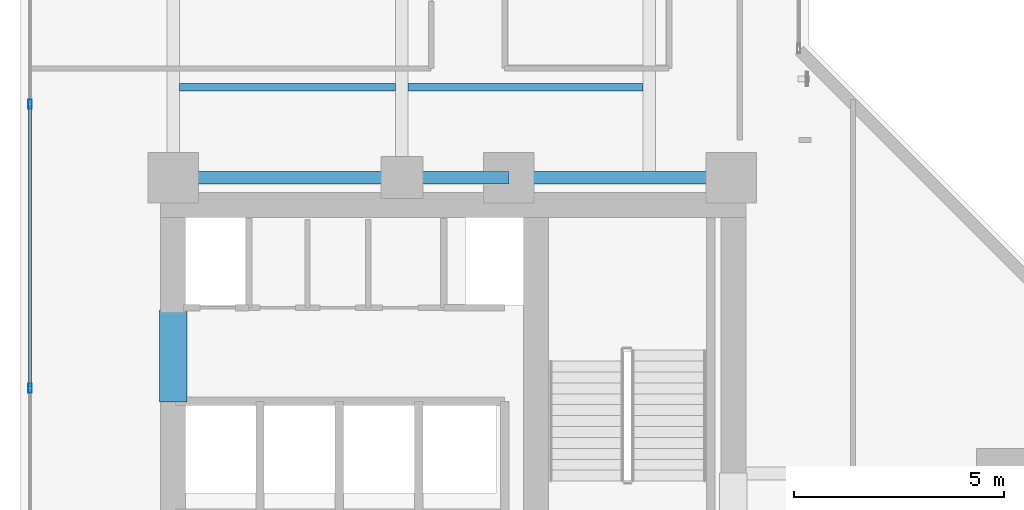
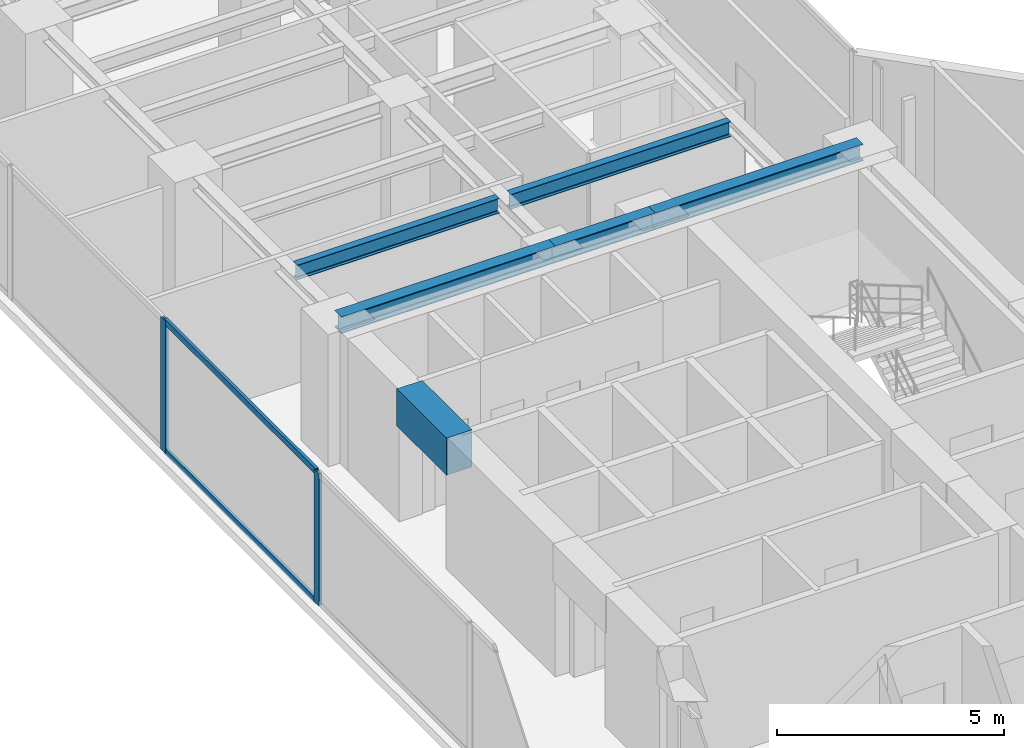
# One storey, part 6 of 24: 6 beams, 4 members, 1 element without a shape of its own.
"""IFC4 building model written with IfcOpenShell, lengths in metres."""

from ifc_helpers import new_model, si_unit, direction, frame, origin, origin_with_axes, origin_2d, place, context, subcontext, project, spatial, rectangle, hollow_rectangle, i_section, extrude, source, transform, mapped, material, layer, layer_set, material_profile, profile_set, type_object, element, aggregate, save


model = new_model("IFC4")

# Units and contexts
model_context = context("Model", 3, precision=1e-05, world=origin(), true_north=direction((0.0, 1.0)))
body_context = subcontext(model_context, "Body", "Model", "MODEL_VIEW")
ifc_project = project(units=[si_unit("LENGTHUNIT", "METRE"), si_unit("AREAUNIT", "SQUARE_METRE"), si_unit("VOLUMEUNIT", "CUBIC_METRE"), si_unit("PLANEANGLEUNIT", "RADIAN"), si_unit("MASSUNIT", "GRAM", prefix="KILO")], contexts=[model_context])

# Site, building, storey
site_placement = place(None, origin())
site = spatial("IfcSite", under=ifc_project, at=site_placement, CompositionType="ELEMENT")
building_placement = place(site_placement, origin())
building = spatial("IfcBuilding", under=site, at=building_placement, Name="Kolvaren Waterfront Exchange", CompositionType="ELEMENT")
storey_placement = place(building_placement, frame((0.0, 0.0, 169.0)))
storey = spatial("IfcBuildingStorey", under=building, at=storey_placement, Name="L43", CompositionType="ELEMENT", Elevation=169.0)

# Beams
ifc_material_1 = material(Name="Steel S355", Category="steel")
ifc_material_profile_1 = material_profile(ifc_material_1, i_section(OverallWidth=0.300048828125, OverallDepth=0.449951171875, WebThickness=0.013916015625, FlangeThickness=0.02587890625, FilletRadius=0.027099609375, at=origin_2d()), Name="HEB450")
ifc_profile_set_1 = profile_set([ifc_material_profile_1], Name="Steel S355")
beam_type_1 = type_object("IfcBeamType", Name="STR-BM-HEB450", PredefinedType="BEAM", material=ifc_profile_set_1)
beam_1_placement = place(storey_placement, frame((7.449951171875, 24.449951171875, 3.3349609375), z_axis=(1.0, 0.0, 0.0), x_axis=(0.0, 1.0, 0.0)))
element("IfcBeam", 1, at=beam_1_placement, inside=storey, type_object=beam_type_1, Name="L43 north-arm girder 1A", PredefinedType="BEAM", context=body_context, shape_type="SweptSolid", body=[
    extrude(i_section(OverallWidth=0.300048828125, OverallDepth=0.449951171875, WebThickness=0.013916015625, FlangeThickness=0.02587890625, FilletRadius=0.027099609375, at=origin_2d()), origin(), (0.0, 0.0, 1.0), 5.449951171875),
])
beam_2_placement = place(storey_placement, frame((12.89990234375, 24.449951171875, 3.3349609375), z_axis=(1.0, 0.0, 0.0), x_axis=(0.0, 1.0, 0.0)))
element("IfcBeam", 2, at=beam_2_placement, inside=storey, type_object=beam_type_1, Name="L43 north-arm girder 1B", PredefinedType="BEAM", context=body_context, shape_type="SweptSolid", body=[
    extrude(i_section(OverallWidth=0.300048828125, OverallDepth=0.449951171875, WebThickness=0.013916015625, FlangeThickness=0.02587890625, FilletRadius=0.027099609375, at=origin_2d()), origin(), (0.0, 0.0, 1.0), 2.550048828125),
])
beam_3_placement = place(storey_placement, frame((15.449951171875, 24.449951171875, 3.3349609375), z_axis=(1.0, 0.0, 0.0), x_axis=(0.0, 1.0, 0.0)))
element("IfcBeam", 3, at=beam_3_placement, inside=storey, type_object=beam_type_1, Name="L43 north-arm girder 1C", PredefinedType="BEAM", context=body_context, shape_type="SweptSolid", body=[
    extrude(i_section(OverallWidth=0.300048828125, OverallDepth=0.449951171875, WebThickness=0.013916015625, FlangeThickness=0.02587890625, FilletRadius=0.027099609375, at=origin_2d()), origin(), (0.0, 0.0, 1.0), 5.300048828125),
])
ifc_material_profile_2 = material_profile(ifc_material_1, i_section(OverallWidth=0.179931640625, OverallDepth=0.39990234375, WebThickness=0.008544921875, FlangeThickness=0.013427734375, FilletRadius=0.02099609375, at=origin_2d()), Name="IPE400")
ifc_profile_set_2 = profile_set([ifc_material_profile_2], Name="Steel S355")
beam_type_2 = type_object("IfcBeamType", Name="STR-BM-IPE400", PredefinedType="JOIST", material=ifc_profile_set_2)
beam_4_placement = place(storey_placement, frame((7.60205078125, 26.60009765625, 3.360107421875), z_axis=(1.0, 0.0, 0.0), x_axis=(0.0, 1.0, 0.0)))
element("IfcBeam", 4, at=beam_4_placement, inside=storey, type_object=beam_type_2, Name="L43 north-arm composite joist 1A", PredefinedType="JOIST", context=body_context, shape_type="SweptSolid", body=[
    extrude(i_section(OverallWidth=0.179931640625, OverallDepth=0.39990234375, WebThickness=0.008544921875, FlangeThickness=0.013427734375, FilletRadius=0.02099609375, at=origin_2d()), origin(), (0.0, 0.0, 1.0), 5.14599609375),
])
beam_5_placement = place(storey_placement, frame((13.052001953125, 26.60009765625, 3.360107421875), z_axis=(1.0, 0.0, 0.0), x_axis=(0.0, 1.0, 0.0)))
element("IfcBeam", 5, at=beam_5_placement, inside=storey, type_object=beam_type_2, Name="L43 north-arm composite joist 1B", PredefinedType="JOIST", context=body_context, shape_type="SweptSolid", body=[
    extrude(i_section(OverallWidth=0.179931640625, OverallDepth=0.39990234375, WebThickness=0.008544921875, FlangeThickness=0.013427734375, FilletRadius=0.02099609375, at=origin_2d()), origin(), (0.0, 0.0, 1.0), 5.595947265625),
])
ifc_material_2 = material(Name="Concrete C60/75", Category="concrete")
ifc_material_profile_3 = material_profile(ifc_material_2, rectangle(XDim=0.64990234375, YDim=1.0, at=origin_2d()), Name="RC-CB-1000x650")
ifc_profile_set_3 = profile_set([ifc_material_profile_3], Name="Concrete C60/75")
beam_type_3 = type_object("IfcBeamType", Name="STR-CB-1000", PredefinedType="SPANDREL", material=ifc_profile_set_3)
beam_6_placement = place(storey_placement, frame((7.449951171875, 19.10009765625, 3.06005859375), z_axis=(0.0, 1.0, 0.0), x_axis=(-1.0, 0.0, 0.0)))
element("IfcBeam", 6, at=beam_6_placement, inside=storey, type_object=beam_type_3, Name="L43 core coupling beam 5", PredefinedType="SPANDREL", context=body_context, shape_type="SweptSolid", body=[
    extrude(rectangle(XDim=0.64990234375, YDim=1.0, at=origin_2d()), origin(), (0.0, 0.0, 1.0), 2.199951171875),
])

# Curtain wall, members
ifc_material_3 = material(Name="Anodised aluminium 6063-T6", Category="aluminium")
ifc_layer = layer(ifc_material_3, 0.219970703125, Name="Anodised aluminium 6063-T6")
ifc_layer_set = layer_set([ifc_layer], Name="Anodised aluminium 6063-T6")
curtain_wall_type = type_object("IfcCurtainWallType", Name="ARC-CW-SYS2", PredefinedType="USERDEFINED", material=ifc_layer_set)
curtain_wall_placement = place(storey_placement, origin())
curtain_wall = element("IfcCurtainWall", 7, at=curtain_wall_placement, inside=storey, type_object=curtain_wall_type, Name="L43 stick curtain wall CW2 (CW-L43-W)", ObjectType="STICK CURTAIN WALL", PredefinedType="USERDEFINED")
ifc_material_profile_4 = material_profile(ifc_material_3, hollow_rectangle(XDim=0.080078125, YDim=0.219970703125, WallThickness=0.0048828125, at=origin_2d()), Name="ALU-MUL-220x80x5")
ifc_profile_set_4 = profile_set([ifc_material_profile_4], Name="Anodised aluminium 6063-T6")
member_type_1 = type_object("IfcMemberType", Name="ARC-CWM-220", PredefinedType="MULLION", material=ifc_profile_set_4)
shared_shape_1 = source(origin_with_axes(), body_context, "Body", "SweptSolid", [
    extrude(hollow_rectangle(XDim=0.080078125, YDim=0.219970703125, WallThickness=0.0048828125, at=origin_2d()), origin(), (0.0, 0.0, 1.0), 3.56005859375),
])
member_1_placement = place(storey_placement, frame((4.0400390625, 19.433349609375, 0.0), z_axis=(0.0, 0.0, 1.0), x_axis=(-1.0, 0.0, 0.0)))
member_1 = element("IfcMember", 8, at=member_1_placement, type_object=member_type_1, Name="CW2 mullion 3", PredefinedType="MULLION", context=body_context, shape_type="MappedRepresentation", body=[
    mapped(shared_shape_1, transform((0.0, 0.0, 0.0), x_axis=(1.0, 0.0, 0.0), y_axis=(0.0, 1.0, 0.0), z_axis=(0.0, 0.0, 1.0), scale=1.0)),
])
member_2_placement = place(storey_placement, frame((4.0400390625, 26.199951171875, 0.0), z_axis=(0.0, 0.0, 1.0), x_axis=(-1.0, 0.0, 0.0)))
member_2 = element("IfcMember", 9, at=member_2_placement, type_object=member_type_1, Name="CW2 mullion 4", PredefinedType="MULLION", context=body_context, shape_type="MappedRepresentation", body=[
    mapped(shared_shape_1, transform((0.0, 0.0, 0.0), x_axis=(1.0, 0.0, 0.0), y_axis=(0.0, 1.0, 0.0), z_axis=(0.0, 0.0, 1.0), scale=1.0)),
])
ifc_material_profile_5 = material_profile(ifc_material_3, hollow_rectangle(XDim=0.074951171875, YDim=0.159912109375, WallThickness=0.00439453125, at=origin_2d()), Name="ALU-TRN-160x75x4.5")
ifc_profile_set_5 = profile_set([ifc_material_profile_5], Name="Anodised aluminium 6063-T6")
member_type_2 = type_object("IfcMemberType", Name="ARC-CWT-160", PredefinedType="USERDEFINED", material=ifc_profile_set_5)
shared_shape_2 = source(origin_with_axes(), body_context, "Body", "SweptSolid", [
    extrude(hollow_rectangle(XDim=0.074951171875, YDim=0.159912109375, WallThickness=0.00439453125, at=origin_2d()), origin(), (0.0, 0.0, 1.0), 6.6865234375),
])
member_3_placement = place(storey_placement, frame((4.0400390625, 19.473388671875, 0.03759765625), z_axis=(0.0, 1.0, 0.0), x_axis=(-1.0, 0.0, 0.0)))
member_3 = element("IfcMember", 10, at=member_3_placement, type_object=member_type_2, Name="CW2 transom 3.1", ObjectType="TRANSOM", PredefinedType="USERDEFINED", context=body_context, shape_type="MappedRepresentation", body=[
    mapped(shared_shape_2, transform((0.0, 0.0, 0.0), x_axis=(1.0, 0.0, 0.0), y_axis=(0.0, 1.0, 0.0), z_axis=(0.0, 0.0, 1.0), scale=1.0)),
])
member_4_placement = place(storey_placement, frame((4.0400390625, 19.473388671875, 3.5224609375), z_axis=(0.0, 1.0, 0.0), x_axis=(-1.0, 0.0, 0.0)))
member_4 = element("IfcMember", 11, at=member_4_placement, type_object=member_type_2, Name="CW2 transom 3.2", ObjectType="TRANSOM", PredefinedType="USERDEFINED", context=body_context, shape_type="MappedRepresentation", body=[
    mapped(shared_shape_2, transform((0.0, 0.0, 0.0), x_axis=(1.0, 0.0, 0.0), y_axis=(0.0, 1.0, 0.0), z_axis=(0.0, 0.0, 1.0), scale=1.0)),
])
aggregate(curtain_wall, [member_1, member_2, member_3, member_4])

save(model, "model.ifc")
